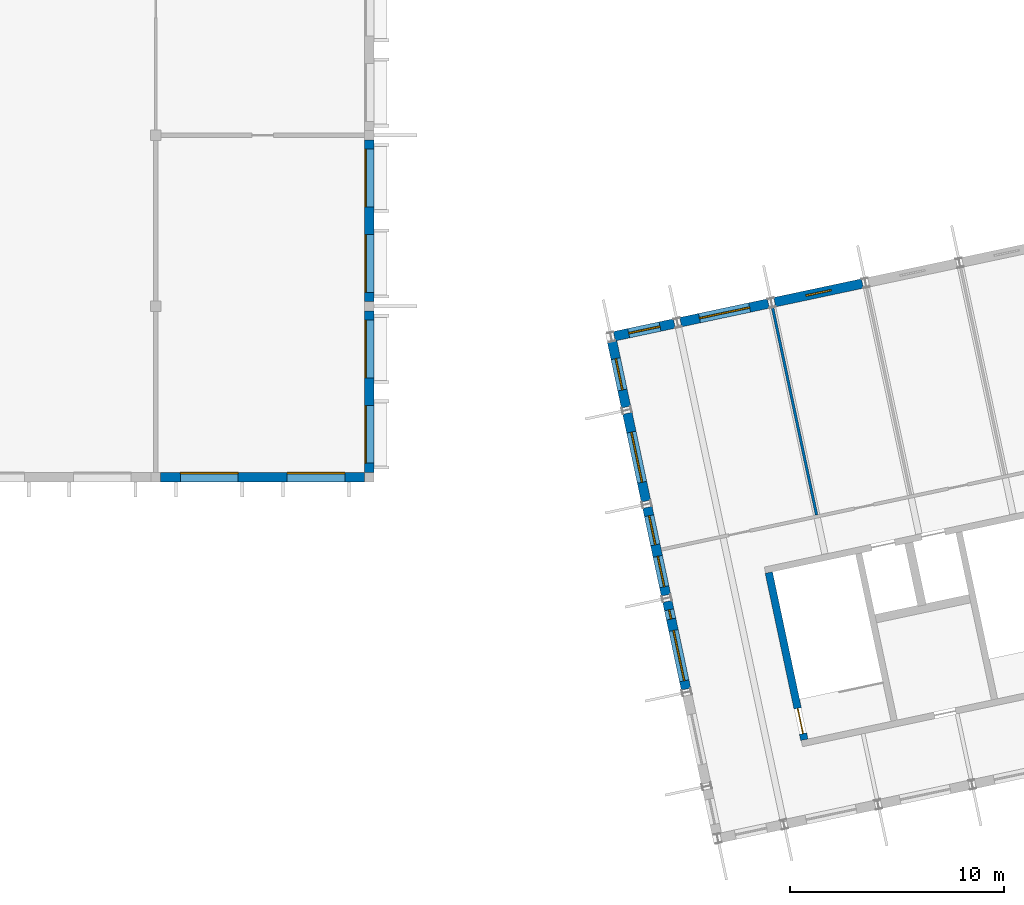
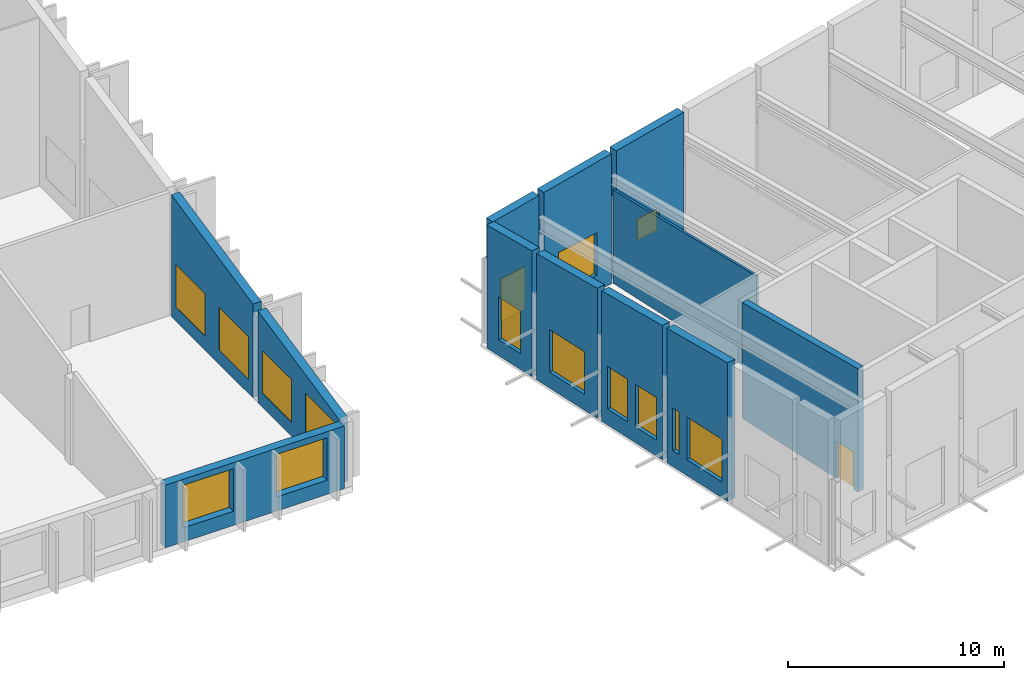
# One storey, part 38 of 69: 15 windows, 12 walls, 1 door, 16 openings.
"""IFC4 building model written with IfcOpenShell, lengths in metres."""

from ifc_helpers import new_model, si_unit, direction, frame, frame_2d, origin, place, context, subcontext, project, spatial, polyline, rectangle, outline, extrude, material, layer, layer_set, type_object, element, fill, save


model = new_model("IFC4")

# Units and contexts
model_context = context("Model", 3, precision=1e-05, world=origin(), true_north=direction((0.0, 1.0)))
body_context = subcontext(model_context, "Body", "Model", "MODEL_VIEW")
ifc_project = project(units=[si_unit("LENGTHUNIT", "METRE"), si_unit("AREAUNIT", "SQUARE_METRE"), si_unit("VOLUMEUNIT", "CUBIC_METRE"), si_unit("PLANEANGLEUNIT", "RADIAN"), si_unit("MASSUNIT", "GRAM", prefix="KILO")], contexts=[model_context])

# Site, building, storey
site_placement = place(None, origin())
site = spatial("IfcSite", under=ifc_project, at=site_placement, CompositionType="ELEMENT")
building_placement = place(site_placement, origin())
building = spatial("IfcBuilding", under=site, at=building_placement, Name="Okhra Congress Centre", CompositionType="ELEMENT")
storey_placement = place(building_placement, frame((0.0, 0.0, 16.800048828125)))
storey = spatial("IfcBuildingStorey", under=building, at=storey_placement, Name="L03", CompositionType="ELEMENT", Elevation=16.800048828125)

# Wall, opening, window
ifc_material_1 = material(Name="Insulated metal panel on steel stud (mineral wool, vapour barrier)", Category="steel")
ifc_layer_1 = layer(ifc_material_1, 0.449951171875)
ifc_layer_set_1 = layer_set([ifc_layer_1], Name="Insulated wall 450")
wall_type_1 = type_object("IfcWallType", Name="Insulated wall 450", PredefinedType="SOLIDWALL", material=ifc_layer_set_1)
wall_1_placement = place(storey_placement, frame((57.4638671875, 50.591552734375, 0.0), z_axis=(0.0, 0.0, 1.0), x_axis=(0.978155181918, 0.207876020951, 0.0)))
wall_1 = element("IfcWall", 1, at=wall_1_placement, inside=storey, type_object=wall_type_1, Name="External wall N1 L03", PredefinedType="SOLIDWALL", context=body_context, shape_type="SweptSolid", body=[
    extrude(outline(polyline([(0.0, 0.0), (2.875, 0.0), (2.875, 7.094970703125), (0.0, 6.941162109375), (0.0, 0.0)])), frame((0.0, 0.22509765625, 0.0), z_axis=(0.0, -1.0, 0.0), x_axis=(1.0, 0.0, 0.0)), (0.0, 0.0, 1.0), 0.449951171875),
])
opening_1_placement = place(wall_1_placement, frame((0.6875, 0.0, 0.89990234375)))
opening_1 = element("IfcOpeningElement", 2, at=opening_1_placement, cuts=wall_1, Name="Opening WN20", PredefinedType="OPENING", context=body_context, shape_type="SweptSolid", body=[
    extrude(rectangle(XDim=1.5, YDim=2.39990234375, at=frame_2d((0.75, 1.199951171875))), frame((0.0, 0.23486328125, 0.0), z_axis=(0.0, -1.0, 0.0), x_axis=(1.0, 0.0, 0.0)), (0.0, 0.0, 1.0), 0.469970703125),
])
ifc_material_2 = material(Name="Thermally broken aluminium frame, triple glazing", Category="aluminium")
window_type_1 = type_object("IfcWindowType", Name="Fixed window 1500x2400", PartitioningType="SINGLE_PANEL", PredefinedType="WINDOW", material=ifc_material_2)
window_1_placement = place(opening_1_placement, origin())
window_1 = element("IfcWindow", 3, at=window_1_placement, inside=storey, type_object=window_type_1, Name="BX.WIN.L03.76", OverallHeight=2.39990234375, OverallWidth=1.5, PartitioningType="SINGLE_PANEL", PredefinedType="WINDOW", context=body_context, shape_type="SweptSolid", body=[
    extrude(rectangle(XDim=1.5, YDim=2.39990234375, at=frame_2d((0.75, 1.199951171875))), frame((0.0, 0.030029296875, 0.0), z_axis=(0.0, -1.0, 0.0), x_axis=(1.0, 0.0, 0.0)), (0.0, 0.0, 1.0), 0.06005859375),
])
fill(opening_1, window_1)

wall_2_placement = place(storey_placement, frame((60.569580078125, 51.25146484375, 0.0), z_axis=(0.0, 0.0, 1.0), x_axis=(0.978143927149, 0.207928972925, 0.0)))
wall_2 = element("IfcWall", 4, at=wall_2_placement, inside=storey, type_object=wall_type_1, Name="External wall N2 L03", PredefinedType="SOLIDWALL", context=body_context, shape_type="SweptSolid", body=[
    extrude(outline(polyline([(0.0, 0.0), (4.199951171875, 0.0), (4.199951171875, 7.335693359375), (0.0, 7.111083984375), (0.0, 0.0)])), frame((0.0, 0.22509765625, 0.0), z_axis=(0.0, -1.0, 0.0), x_axis=(1.0, 0.0, 0.0)), (0.0, 0.0, 1.0), 0.449951171875),
])
opening_2_placement = place(wall_2_placement, frame((0.89990234375, 0.0, 0.89990234375)))
opening_2 = element("IfcOpeningElement", 5, at=opening_2_placement, cuts=wall_2, Name="Opening WN22", PredefinedType="OPENING", context=body_context, shape_type="SweptSolid", body=[
    extrude(rectangle(XDim=2.39990234375, YDim=2.39990234375, at=frame_2d((1.199951171875, 1.199951171875))), frame((0.0, 0.23486328125, 0.0), z_axis=(0.0, -1.0, 0.0), x_axis=(1.0, 0.0, 0.0)), (0.0, 0.0, 1.0), 0.469970703125),
])
window_type_2 = type_object("IfcWindowType", Name="Fixed window 2400x2400", PartitioningType="SINGLE_PANEL", PredefinedType="WINDOW", material=ifc_material_2)
window_2_placement = place(opening_2_placement, origin())
window_2 = element("IfcWindow", 6, at=window_2_placement, inside=storey, type_object=window_type_2, Name="BX.WIN.L03.77", OverallHeight=2.39990234375, OverallWidth=2.39990234375, PartitioningType="SINGLE_PANEL", PredefinedType="WINDOW", context=body_context, shape_type="SweptSolid", body=[
    extrude(rectangle(XDim=2.39990234375, YDim=2.39990234375, at=frame_2d((1.199951171875, 1.199951171875))), frame((0.0, 0.030029296875, 0.0), z_axis=(0.0, -1.0, 0.0), x_axis=(1.0, 0.0, 0.0)), (0.0, 0.0, 1.0), 0.06005859375),
])
fill(opening_2, window_2)

wall_3_placement = place(storey_placement, frame((64.97119140625, 52.187255859375, 0.0), z_axis=(0.0, 0.0, 1.0), x_axis=(0.978155748334, 0.207873355681, 0.0)))
wall_3 = element("IfcWall", 7, at=wall_3_placement, inside=storey, type_object=wall_type_1, Name="External wall N3 L03", PredefinedType="SOLIDWALL", context=body_context, shape_type="SweptSolid", body=[
    extrude(outline(polyline([(0.0, 0.0), (4.199951171875, 0.0), (4.199951171875, 7.576416015625), (0.0, 7.351806640625), (0.0, 0.0)])), frame((0.0, 0.22509765625, 0.0), z_axis=(0.0, -1.0, 0.0), x_axis=(1.0, 0.0, 0.0)), (0.0, 0.0, 1.0), 0.449951171875),
])
opening_3_placement = place(wall_3_placement, frame((1.5, 0.0, 1.5)))
opening_3 = element("IfcOpeningElement", 8, at=opening_3_placement, cuts=wall_3, Name="Opening WN24", PredefinedType="OPENING", context=body_context, shape_type="SweptSolid", body=[
    extrude(rectangle(XDim=1.199951171875, YDim=1.199951171875, at=frame_2d((0.60009765625, 0.60009765625))), frame((0.0, 0.23486328125, 0.0), z_axis=(0.0, -1.0, 0.0), x_axis=(1.0, 0.0, 0.0)), (0.0, 0.0, 1.0), 0.469970703125),
])
window_type_3 = type_object("IfcWindowType", Name="Tilt-and-turn window 1200x1200", PartitioningType="SINGLE_PANEL", PredefinedType="WINDOW", material=ifc_material_2)
window_3_placement = place(opening_3_placement, origin())
window_3 = element("IfcWindow", 9, at=window_3_placement, inside=storey, type_object=window_type_3, Name="BX.WIN.L03.78", OverallHeight=1.199951171875, OverallWidth=1.199951171875, PartitioningType="SINGLE_PANEL", PredefinedType="WINDOW", context=body_context, shape_type="SweptSolid", body=[
    extrude(rectangle(XDim=1.199951171875, YDim=1.199951171875, at=frame_2d((0.60009765625, 0.60009765625))), frame((0.0, 0.030029296875, 0.0), z_axis=(0.0, -1.0, 0.0), x_axis=(1.0, 0.0, 0.0)), (0.0, 0.0, 1.0), 0.06005859375),
])
fill(opening_3, window_3)

# Wall, openings, windows
wall_4_placement = place(storey_placement, frame((60.821533203125, 34.073486328125, 0.0), z_axis=(0.0, 0.0, 1.0), x_axis=(-0.207917150959, 0.978146440129, 0.0)))
wall_4 = element("IfcWall", 10, at=wall_4_placement, inside=storey, type_object=wall_type_1, Name="External wall W3 L03", PredefinedType="SOLIDWALL", context=body_context, shape_type="SweptSolid", body=[
    extrude(outline(polyline([(0.0, 0.0), (4.2001953125, 0.0), (4.199951171875, 7.596435546875), (0.0, 7.81640625), (0.0, 0.0)])), frame((0.0, 0.22509765625, 0.0), z_axis=(0.0, -1.0, 0.0), x_axis=(1.0, 0.0, 0.0)), (0.0, 0.0, 1.0), 0.449951171875),
])
opening_4_placement = place(wall_4_placement, frame((0.39990234375, 0.0, 0.89990234375)))
opening_4 = element("IfcOpeningElement", 11, at=opening_4_placement, cuts=wall_4, Name="Opening WN26", PredefinedType="OPENING", context=body_context, shape_type="SweptSolid", body=[
    extrude(rectangle(XDim=2.405029296875, YDim=2.39990234375, at=frame_2d((1.20263671875, 1.199951171875))), frame((0.0, 0.23486328125, 0.0), z_axis=(0.0, -1.0, 0.0), x_axis=(1.0, 0.0, 0.0)), (0.0, 0.0, 1.0), 0.469970703125),
])
opening_5_placement = place(wall_4_placement, frame((3.35498046875, 0.0, 0.89990234375)))
opening_5 = element("IfcOpeningElement", 12, at=opening_5_placement, cuts=wall_4, Name="Opening WN27", PredefinedType="OPENING", context=body_context, shape_type="SweptSolid", body=[
    extrude(rectangle(XDim=0.445068359375, YDim=2.39990234375, at=frame_2d((0.22265625, 1.199951171875))), frame((0.0, 0.23486328125, 0.0), z_axis=(0.0, -1.0, 0.0), x_axis=(1.0, 0.0, 0.0)), (0.0, 0.0, 1.0), 0.469970703125),
])
window_type_4 = type_object("IfcWindowType", Name="Fixed window 2405x2400", PartitioningType="SINGLE_PANEL", PredefinedType="WINDOW", material=ifc_material_2)
window_4_placement = place(opening_4_placement, origin())
window_4 = element("IfcWindow", 13, at=window_4_placement, inside=storey, type_object=window_type_4, Name="BX.WIN.L03.124", OverallHeight=2.39990234375, OverallWidth=2.405029296875, PartitioningType="SINGLE_PANEL", PredefinedType="WINDOW", context=body_context, shape_type="SweptSolid", body=[
    extrude(rectangle(XDim=2.405029296875, YDim=2.39990234375, at=frame_2d((1.20263671875, 1.199951171875))), frame((0.0, 0.030029296875, 0.0), z_axis=(0.0, -1.0, 0.0), x_axis=(1.0, 0.0, 0.0)), (0.0, 0.0, 1.0), 0.06005859375),
])
fill(opening_4, window_4)
window_type_5 = type_object("IfcWindowType", Name="Fixed window 445x2400", PartitioningType="SINGLE_PANEL", PredefinedType="WINDOW", material=ifc_material_2)
window_5_placement = place(opening_5_placement, origin())
window_5 = element("IfcWindow", 14, at=window_5_placement, inside=storey, type_object=window_type_5, Name="BX.WIN.L03.125", OverallHeight=2.39990234375, OverallWidth=0.445068359375, PartitioningType="SINGLE_PANEL", PredefinedType="WINDOW", context=body_context, shape_type="SweptSolid", body=[
    extrude(rectangle(XDim=0.445068359375, YDim=2.39990234375, at=frame_2d((0.22265625, 1.199951171875))), frame((0.0, 0.030029296875, 0.0), z_axis=(0.0, -1.0, 0.0), x_axis=(1.0, 0.0, 0.0)), (0.0, 0.0, 1.0), 0.06005859375),
])
fill(opening_5, window_5)

wall_5_placement = place(storey_placement, frame((59.885986328125, 38.475341796875, 0.0), z_axis=(0.0, 0.0, 1.0), x_axis=(-0.207928972925, 0.978143927149, 0.0)))
wall_5 = element("IfcWall", 15, at=wall_5_placement, inside=storey, type_object=wall_type_1, Name="External wall W4 L03", PredefinedType="SOLIDWALL", context=body_context, shape_type="SweptSolid", body=[
    extrude(outline(polyline([(0.0, 0.0), (4.199951171875, 0.0), (4.199951171875, 7.360595703125), (0.0, 7.58056640625), (0.0, 0.0)])), frame((0.0, 0.22509765625, 0.0), z_axis=(0.0, -1.0, 0.0), x_axis=(1.0, 0.0, 0.0)), (0.0, 0.0, 1.0), 0.449951171875),
])
opening_6_placement = place(wall_5_placement, frame((0.39990234375, 0.0, 0.89990234375)))
opening_6 = element("IfcOpeningElement", 16, at=opening_6_placement, cuts=wall_5, Name="Opening WN28", PredefinedType="OPENING", context=body_context, shape_type="SweptSolid", body=[
    extrude(rectangle(XDim=1.455078125, YDim=2.39990234375, at=frame_2d((0.7275390625, 1.199951171875))), frame((0.0, 0.23486328125, 0.0), z_axis=(0.0, -1.0, 0.0), x_axis=(1.0, 0.0, 0.0)), (0.0, 0.0, 1.0), 0.469970703125),
])
opening_7_placement = place(wall_5_placement, frame((2.405029296875, 0.0, 0.89990234375)))
opening_7 = element("IfcOpeningElement", 17, at=opening_7_placement, cuts=wall_5, Name="Opening WN29", PredefinedType="OPENING", context=body_context, shape_type="SweptSolid", body=[
    extrude(rectangle(XDim=1.39501953125, YDim=2.39990234375, at=frame_2d((0.697509765625, 1.199951171875))), frame((0.0, 0.23486328125, 0.0), z_axis=(0.0, -1.0, 0.0), x_axis=(1.0, 0.0, 0.0)), (0.0, 0.0, 1.0), 0.469970703125),
])
window_type_6 = type_object("IfcWindowType", Name="Fixed window 1395x2400", PartitioningType="SINGLE_PANEL", PredefinedType="WINDOW", material=ifc_material_2)
window_6_placement = place(opening_7_placement, origin())
window_6 = element("IfcWindow", 18, at=window_6_placement, inside=storey, type_object=window_type_6, Name="BX.WIN.L03.127", OverallHeight=2.39990234375, OverallWidth=1.39501953125, PartitioningType="SINGLE_PANEL", PredefinedType="WINDOW", context=body_context, shape_type="SweptSolid", body=[
    extrude(rectangle(XDim=1.39501953125, YDim=2.39990234375, at=frame_2d((0.697509765625, 1.199951171875))), frame((0.0, 0.030029296875, 0.0), z_axis=(0.0, -1.0, 0.0), x_axis=(1.0, 0.0, 0.0)), (0.0, 0.0, 1.0), 0.06005859375),
])
fill(opening_7, window_6)
window_type_7 = type_object("IfcWindowType", Name="Fixed window 1455x2400", PartitioningType="SINGLE_PANEL", PredefinedType="WINDOW", material=ifc_material_2)
window_7_placement = place(opening_6_placement, origin())
window_7 = element("IfcWindow", 19, at=window_7_placement, inside=storey, type_object=window_type_7, Name="BX.WIN.L03.126", OverallHeight=2.39990234375, OverallWidth=1.455078125, PartitioningType="SINGLE_PANEL", PredefinedType="WINDOW", context=body_context, shape_type="SweptSolid", body=[
    extrude(rectangle(XDim=1.455078125, YDim=2.39990234375, at=frame_2d((0.7275390625, 1.199951171875))), frame((0.0, 0.030029296875, 0.0), z_axis=(0.0, -1.0, 0.0), x_axis=(1.0, 0.0, 0.0)), (0.0, 0.0, 1.0), 0.06005859375),
])
fill(opening_6, window_7)

# Wall, opening, window
wall_6_placement = place(storey_placement, frame((58.9501953125, 42.876953125, 0.0), z_axis=(0.0, 0.0, 1.0), x_axis=(-0.207873355681, 0.978155748334, 0.0)))
wall_6 = element("IfcWall", 20, at=wall_6_placement, inside=storey, type_object=wall_type_1, Name="External wall W5 L03", PredefinedType="SOLIDWALL", context=body_context, shape_type="SweptSolid", body=[
    extrude(outline(polyline([(0.0, 0.0), (4.199951171875, 0.0), (4.199951171875, 7.124755859375), (0.0, 7.3447265625), (0.0, 0.0)])), frame((0.0, 0.22509765625, 0.0), z_axis=(0.0, -1.0, 0.0), x_axis=(1.0, 0.0, 0.0)), (0.0, 0.0, 1.0), 0.449951171875),
])
opening_8_placement = place(wall_6_placement, frame((0.89990234375, 0.0, 0.89990234375)))
opening_8 = element("IfcOpeningElement", 21, at=opening_8_placement, cuts=wall_6, Name="Opening WN22", PredefinedType="OPENING", context=body_context, shape_type="SweptSolid", body=[
    extrude(rectangle(XDim=2.39990234375, YDim=2.39990234375, at=frame_2d((1.199951171875, 1.199951171875))), frame((0.0, 0.23486328125, 0.0), z_axis=(0.0, -1.0, 0.0), x_axis=(1.0, 0.0, 0.0)), (0.0, 0.0, 1.0), 0.469970703125),
])
window_8_placement = place(opening_8_placement, origin())
window_8 = element("IfcWindow", 22, at=window_8_placement, inside=storey, type_object=window_type_2, Name="BX.WIN.L03.128", OverallHeight=2.39990234375, OverallWidth=2.39990234375, PartitioningType="SINGLE_PANEL", PredefinedType="WINDOW", context=body_context, shape_type="SweptSolid", body=[
    extrude(rectangle(XDim=2.39990234375, YDim=2.39990234375, at=frame_2d((1.199951171875, 1.199951171875))), frame((0.0, 0.030029296875, 0.0), z_axis=(0.0, -1.0, 0.0), x_axis=(1.0, 0.0, 0.0)), (0.0, 0.0, 1.0), 0.06005859375),
])
fill(opening_8, window_8)

wall_7_placement = place(storey_placement, frame((58.0146484375, 47.278564453125, 0.0), z_axis=(0.0, 0.0, 1.0), x_axis=(-0.207933268122, 0.978143014087, 0.0)))
wall_7 = element("IfcWall", 23, at=wall_7_placement, inside=storey, type_object=wall_type_1, Name="External wall W6 L03", PredefinedType="SOLIDWALL", context=body_context, shape_type="SweptSolid", body=[
    extrude(outline(polyline([(0.0, 0.0), (3.135009765625, 0.0), (3.135009765625, 6.944580078125), (0.0, 7.10888671875), (0.0, 0.0)])), frame((0.0, 0.22509765625, 0.0), z_axis=(0.0, -1.0, 0.0), x_axis=(1.0, 0.0, 0.0)), (0.0, 0.0, 1.0), 0.449951171875),
])
opening_9_placement = place(wall_7_placement, frame((0.8173828125, 0.0, 0.89990234375)))
opening_9 = element("IfcOpeningElement", 24, at=opening_9_placement, cuts=wall_7, Name="Opening WN20", PredefinedType="OPENING", context=body_context, shape_type="SweptSolid", body=[
    extrude(rectangle(XDim=1.5, YDim=2.39990234375, at=frame_2d((0.75, 1.199951171875))), frame((0.0, 0.23486328125, 0.0), z_axis=(0.0, -1.0, 0.0), x_axis=(1.0, 0.0, 0.0)), (0.0, 0.0, 1.0), 0.469970703125),
])
window_9_placement = place(opening_9_placement, origin())
window_9 = element("IfcWindow", 25, at=window_9_placement, inside=storey, type_object=window_type_1, Name="BX.WIN.L03.129", OverallHeight=2.39990234375, OverallWidth=1.5, PartitioningType="SINGLE_PANEL", PredefinedType="WINDOW", context=body_context, shape_type="SweptSolid", body=[
    extrude(rectangle(XDim=1.5, YDim=2.39990234375, at=frame_2d((0.75, 1.199951171875))), frame((0.0, 0.030029296875, 0.0), z_axis=(0.0, -1.0, 0.0), x_axis=(1.0, 0.0, 0.0)), (0.0, 0.0, 1.0), 0.06005859375),
])
fill(opening_9, window_9)

# Wall, openings, windows
ifc_layer_2 = layer(ifc_material_1, 0.449951171875)
ifc_layer_set_2 = layer_set([ifc_layer_2], Name="Insulated wall 450 EI 45")
wall_type_2 = type_object("IfcWallType", Name="Insulated wall 450 EI 45", PredefinedType="SOLIDWALL", material=ifc_layer_set_2)
wall_8_placement = place(storey_placement, frame((36.22509765625, 44.0, 0.0), z_axis=(0.0, 0.0, 1.0), x_axis=(1.0, 0.0, 0.0)))
wall_8 = element("IfcWall", 26, at=wall_8_placement, inside=storey, type_object=wall_type_2, Name="RS.WALL.L03.4", PredefinedType="SOLIDWALL", context=body_context, shape_type="SweptSolid", body=[
    extrude(rectangle(XDim=9.5498046875, YDim=0.449951171875, at=frame_2d((4.77490234375, 0.0))), origin(), (0.0, 0.0, 1.0), 3.541015625),
])
opening_10_placement = place(wall_8_placement, frame((0.925048828125, 0.0, 0.800048828125)))
opening_10 = element("IfcOpeningElement", 27, at=opening_10_placement, cuts=wall_8, Name="Opening WN19", PredefinedType="OPENING", context=body_context, shape_type="SweptSolid", body=[
    extrude(rectangle(XDim=2.699951171875, YDim=2.39990234375, at=frame_2d((1.35009765625, 1.199951171875))), frame((0.0, 0.23486328125, 0.0), z_axis=(0.0, -1.0, 0.0), x_axis=(1.0, 0.0, 0.0)), (0.0, 0.0, 1.0), 0.469970703125),
])
opening_11_placement = place(wall_8_placement, frame((5.925048828125, 0.0, 0.800048828125)))
opening_11 = element("IfcOpeningElement", 28, at=opening_11_placement, cuts=wall_8, Name="Opening WN19", PredefinedType="OPENING", context=body_context, shape_type="SweptSolid", body=[
    extrude(rectangle(XDim=2.699951171875, YDim=2.39990234375, at=frame_2d((1.35009765625, 1.199951171875))), frame((0.0, 0.23486328125, 0.0), z_axis=(0.0, -1.0, 0.0), x_axis=(1.0, 0.0, 0.0)), (0.0, 0.0, 1.0), 0.469970703125),
])
window_type_8 = type_object("IfcWindowType", Name="Fixed window 2700x2400", PartitioningType="SINGLE_PANEL", PredefinedType="WINDOW", material=ifc_material_2)
window_10_placement = place(opening_10_placement, origin())
window_10 = element("IfcWindow", 29, at=window_10_placement, inside=storey, type_object=window_type_8, Name="RS.WIN.L03.7", OverallHeight=2.39990234375, OverallWidth=2.699951171875, PartitioningType="SINGLE_PANEL", PredefinedType="WINDOW", context=body_context, shape_type="SweptSolid", body=[
    extrude(rectangle(XDim=2.699951171875, YDim=2.39990234375, at=frame_2d((1.35009765625, 1.199951171875))), frame((0.0, 0.215087890625, 0.0), z_axis=(0.0, -1.0, 0.0), x_axis=(1.0, 0.0, 0.0)), (0.0, 0.0, 1.0), 0.06005859375),
])
fill(opening_10, window_10)
window_11_placement = place(opening_11_placement, origin())
window_11 = element("IfcWindow", 30, at=window_11_placement, inside=storey, type_object=window_type_8, Name="RS.WIN.L03.8", OverallHeight=2.39990234375, OverallWidth=2.699951171875, PartitioningType="SINGLE_PANEL", PredefinedType="WINDOW", context=body_context, shape_type="SweptSolid", body=[
    extrude(rectangle(XDim=2.699951171875, YDim=2.39990234375, at=frame_2d((1.35009765625, 1.199951171875))), frame((0.0, 0.215087890625, 0.0), z_axis=(0.0, -1.0, 0.0), x_axis=(1.0, 0.0, 0.0)), (0.0, 0.0, 1.0), 0.06005859375),
])
fill(opening_11, window_11)

wall_9_placement = place(storey_placement, frame((46.0, 44.22509765625, 0.0), z_axis=(0.0, 0.0, 1.0), x_axis=(0.0, 1.0, 0.0)))
wall_9 = element("IfcWall", 31, at=wall_9_placement, inside=storey, type_object=wall_type_2, Name="RS.WALL.L03.49", PredefinedType="SOLIDWALL", context=body_context, shape_type="SweptSolid", body=[
    extrude(outline(polyline([(0.0, 0.0), (7.5498046875, 0.0), (7.550048828125, 5.193603515625), (0.0, 3.5888671875), (0.0, 0.0)])), frame((0.0, 0.22509765625, 0.0), z_axis=(0.0, -1.0, 0.0), x_axis=(1.0, 0.0, 0.0)), (0.0, 0.0, 1.0), 0.449951171875),
])
opening_12_placement = place(wall_9_placement, frame((0.425048828125, 0.0, 0.800048828125)))
opening_12 = element("IfcOpeningElement", 32, at=opening_12_placement, cuts=wall_9, Name="Opening WN19", PredefinedType="OPENING", context=body_context, shape_type="SweptSolid", body=[
    extrude(rectangle(XDim=2.699951171875, YDim=2.39990234375, at=frame_2d((1.35009765625, 1.199951171875))), frame((0.0, 0.23486328125, 0.0), z_axis=(0.0, -1.0, 0.0), x_axis=(1.0, 0.0, 0.0)), (0.0, 0.0, 1.0), 0.469970703125),
])
opening_13_placement = place(wall_9_placement, frame((4.425048828125, 0.0, 0.800048828125)))
opening_13 = element("IfcOpeningElement", 33, at=opening_13_placement, cuts=wall_9, Name="Opening WN19", PredefinedType="OPENING", context=body_context, shape_type="SweptSolid", body=[
    extrude(rectangle(XDim=2.699951171875, YDim=2.39990234375, at=frame_2d((1.35009765625, 1.199951171875))), frame((0.0, 0.23486328125, 0.0), z_axis=(0.0, -1.0, 0.0), x_axis=(1.0, 0.0, 0.0)), (0.0, 0.0, 1.0), 0.469970703125),
])
window_12_placement = place(opening_12_placement, origin())
window_12 = element("IfcWindow", 34, at=window_12_placement, inside=storey, type_object=window_type_8, Name="RS.WIN.L03.19", OverallHeight=2.39990234375, OverallWidth=2.699951171875, PartitioningType="SINGLE_PANEL", PredefinedType="WINDOW", context=body_context, shape_type="SweptSolid", body=[
    extrude(rectangle(XDim=2.699951171875, YDim=2.39990234375, at=frame_2d((1.35009765625, 1.199951171875))), frame((0.0, 0.215087890625, 0.0), z_axis=(0.0, -1.0, 0.0), x_axis=(1.0, 0.0, 0.0)), (0.0, 0.0, 1.0), 0.06005859375),
])
fill(opening_12, window_12)
window_13_placement = place(opening_13_placement, origin())
window_13 = element("IfcWindow", 35, at=window_13_placement, inside=storey, type_object=window_type_8, Name="RS.WIN.L03.20", OverallHeight=2.39990234375, OverallWidth=2.699951171875, PartitioningType="SINGLE_PANEL", PredefinedType="WINDOW", context=body_context, shape_type="SweptSolid", body=[
    extrude(rectangle(XDim=2.699951171875, YDim=2.39990234375, at=frame_2d((1.35009765625, 1.199951171875))), frame((0.0, 0.215087890625, 0.0), z_axis=(0.0, -1.0, 0.0), x_axis=(1.0, 0.0, 0.0)), (0.0, 0.0, 1.0), 0.06005859375),
])
fill(opening_13, window_13)

wall_10_placement = place(storey_placement, frame((46.0, 52.22509765625, 0.0), z_axis=(0.0, 0.0, 1.0), x_axis=(0.0, 1.0, 0.0)))
wall_10 = element("IfcWall", 36, at=wall_10_placement, inside=storey, type_object=wall_type_2, Name="RS.WALL.L03.50", PredefinedType="SOLIDWALL", context=body_context, shape_type="SweptSolid", body=[
    extrude(outline(polyline([(0.0, 0.0), (7.5498046875, 0.0), (7.550048828125, 6.89404296875), (0.0, 5.289306640625), (0.0, 0.0)])), frame((0.0, 0.22509765625, 0.0), z_axis=(0.0, -1.0, 0.0), x_axis=(1.0, 0.0, 0.0)), (0.0, 0.0, 1.0), 0.449951171875),
])
opening_14_placement = place(wall_10_placement, frame((0.425048828125, 0.0, 0.800048828125)))
opening_14 = element("IfcOpeningElement", 37, at=opening_14_placement, cuts=wall_10, Name="Opening WN19", PredefinedType="OPENING", context=body_context, shape_type="SweptSolid", body=[
    extrude(rectangle(XDim=2.699951171875, YDim=2.39990234375, at=frame_2d((1.35009765625, 1.199951171875))), frame((0.0, 0.23486328125, 0.0), z_axis=(0.0, -1.0, 0.0), x_axis=(1.0, 0.0, 0.0)), (0.0, 0.0, 1.0), 0.469970703125),
])
opening_15_placement = place(wall_10_placement, frame((4.425048828125, 0.0, 0.800048828125)))
opening_15 = element("IfcOpeningElement", 38, at=opening_15_placement, cuts=wall_10, Name="Opening WN19", PredefinedType="OPENING", context=body_context, shape_type="SweptSolid", body=[
    extrude(rectangle(XDim=2.699951171875, YDim=2.39990234375, at=frame_2d((1.35009765625, 1.199951171875))), frame((0.0, 0.23486328125, 0.0), z_axis=(0.0, -1.0, 0.0), x_axis=(1.0, 0.0, 0.0)), (0.0, 0.0, 1.0), 0.469970703125),
])
window_14_placement = place(opening_14_placement, origin())
window_14 = element("IfcWindow", 39, at=window_14_placement, inside=storey, type_object=window_type_8, Name="RS.WIN.L03.21", OverallHeight=2.39990234375, OverallWidth=2.699951171875, PartitioningType="SINGLE_PANEL", PredefinedType="WINDOW", context=body_context, shape_type="SweptSolid", body=[
    extrude(rectangle(XDim=2.699951171875, YDim=2.39990234375, at=frame_2d((1.35009765625, 1.199951171875))), frame((0.0, 0.215087890625, 0.0), z_axis=(0.0, -1.0, 0.0), x_axis=(1.0, 0.0, 0.0)), (0.0, 0.0, 1.0), 0.06005859375),
])
fill(opening_14, window_14)
window_15_placement = place(opening_15_placement, origin())
window_15 = element("IfcWindow", 40, at=window_15_placement, inside=storey, type_object=window_type_8, Name="RS.WIN.L03.22", OverallHeight=2.39990234375, OverallWidth=2.699951171875, PartitioningType="SINGLE_PANEL", PredefinedType="WINDOW", context=body_context, shape_type="SweptSolid", body=[
    extrude(rectangle(XDim=2.699951171875, YDim=2.39990234375, at=frame_2d((1.35009765625, 1.199951171875))), frame((0.0, 0.215087890625, 0.0), z_axis=(0.0, -1.0, 0.0), x_axis=(1.0, 0.0, 0.0)), (0.0, 0.0, 1.0), 0.06005859375),
])
fill(opening_15, window_15)

# Wall
ifc_material_3 = material(Name="Gypsum board on steel studs", Category="steel")
ifc_layer_3 = layer(ifc_material_3, 0.125)
ifc_layer_set_3 = layer_set([ifc_layer_3], Name="Partition 125")
wall_type_3 = type_object("IfcWallType", Name="Partition 125", PredefinedType="PARTITIONING", material=ifc_layer_set_3)
wall_11_placement = place(storey_placement, frame((64.871337890625, 51.935791015625, 0.0), z_axis=(0.0, 0.0, 1.0), x_axis=(0.20790935802, -0.978148096582, 0.0)))
element("IfcWall", 41, at=wall_11_placement, inside=storey, type_object=wall_type_3, Name="Partition N L03", PredefinedType="PARTITIONING", context=body_context, shape_type="SweptSolid", body=[
    extrude(outline(polyline([(0.0, 0.0), (9.9248046875, 0.0), (9.925048828125, 5.551025390625), (0.0, 5.255615234375), (0.0, 0.0)])), frame((0.0, 0.0625, 0.0), z_axis=(0.0, -1.0, 0.0), x_axis=(1.0, 0.0, 0.0)), (0.0, 0.0, 1.0), 0.125),
])

# Wall, opening, door
ifc_material_4 = material(Name="Concrete C30/37", Category="concrete")
ifc_layer_4 = layer(ifc_material_4, 0.35009765625)
ifc_layer_set_4 = layer_set([ifc_layer_4], Name="RC wall 350 REI 120 C30/37")
wall_type_4 = type_object("IfcWallType", Name="RC wall 350 REI 120 C30/37", PredefinedType="SOLIDWALL", material=ifc_layer_set_4)
wall_12_placement = place(storey_placement, frame((66.3603515625, 31.703369140625, 0.0), z_axis=(0.0, 0.0, 1.0), x_axis=(-0.207915693476, 0.978146749934, 0.0)))
wall_12 = element("IfcWall", 42, at=wall_12_placement, inside=storey, type_object=wall_type_4, Name="BX.WALL.L03.K1W", PredefinedType="SOLIDWALL", context=body_context, shape_type="SweptSolid", body=[
    extrude(outline(polyline([(0.0, 0.0), (8.0, 0.0), (8.0, 6.54248046875), (0.0, 6.9619140625), (0.0, 0.0)])), frame((0.0, 0.175048828125, 0.0), z_axis=(0.0, -1.0, 0.0), x_axis=(1.0, 0.0, 0.0)), (0.0, 0.0, 1.0), 0.35009765625),
])
opening_16_placement = place(wall_12_placement, frame((0.300048828125, 0.0, 0.0)))
opening_16 = element("IfcOpeningElement", 43, at=opening_16_placement, cuts=wall_12, Name="Opening L03-021", PredefinedType="OPENING", context=body_context, shape_type="SweptSolid", body=[
    extrude(rectangle(XDim=1.199951171875, YDim=2.10009765625, at=frame_2d((0.60009765625, 1.050048828125))), frame((0.0, 0.18505859375, 0.0), z_axis=(0.0, -1.0, 0.0), x_axis=(1.0, 0.0, 0.0)), (0.0, 0.0, 1.0), 0.3701171875),
])
ifc_material_5 = material(Name="Steel fire door leaf in steel frame, intumescent seals", Category="steel")
door_type = type_object("IfcDoorType", Name="Steel fire door 1200x2100 EI 30", OperationType="NOTDEFINED", PredefinedType="DOOR", material=ifc_material_5)
door_placement = place(opening_16_placement, origin())
door = element("IfcDoor", 44, at=door_placement, inside=storey, type_object=door_type, Name="Door L03-021", OperationType="SINGLE_SWING_LEFT", OverallHeight=2.10009765625, OverallWidth=1.199951171875, PredefinedType="DOOR", context=body_context, shape_type="SweptSolid", body=[
    extrude(rectangle(XDim=1.199951171875, YDim=2.10009765625, at=frame_2d((0.60009765625, 1.050048828125))), frame((0.0, 0.02490234375, 0.0), z_axis=(0.0, -1.0, 0.0), x_axis=(1.0, 0.0, 0.0)), (0.0, 0.0, 1.0), 0.050048828125),
])
fill(opening_16, door)

save(model, "model.ifc")
